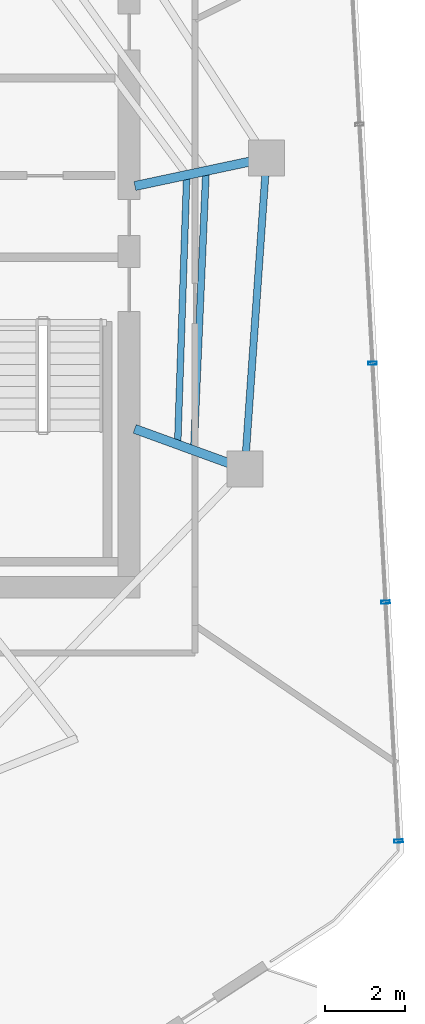
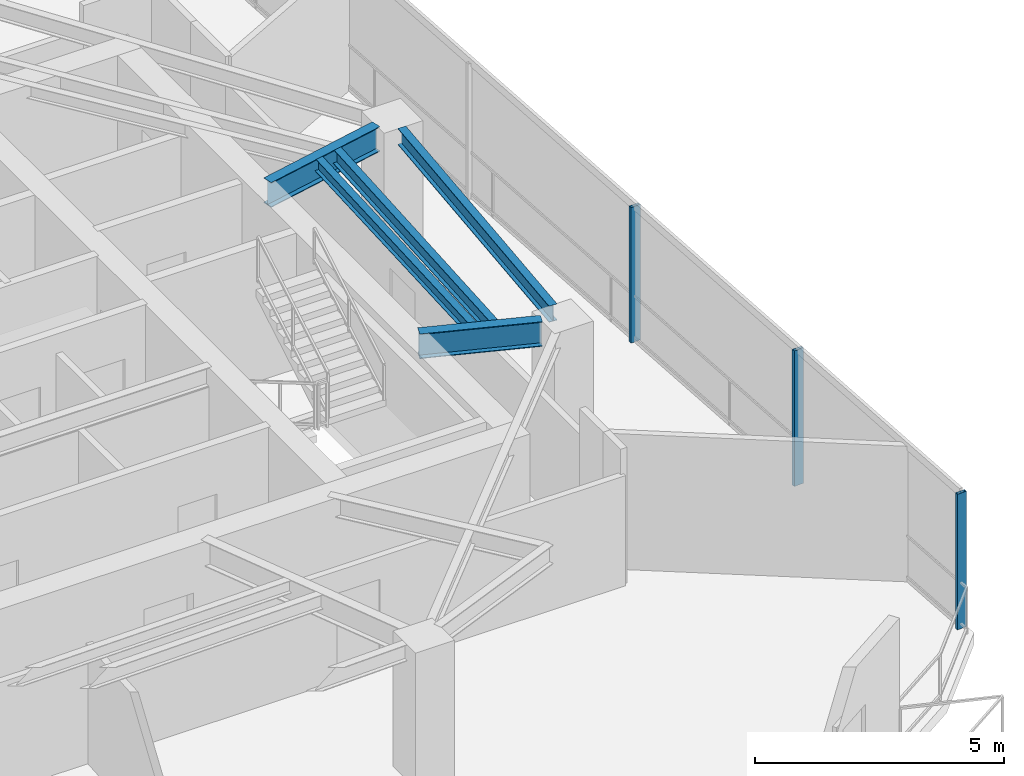
# One storey, part 7 of 18: 5 beams, 3 members, 1 element without a shape of its own.
"""IFC4 building model written with IfcOpenShell, lengths in metres."""

from ifc_helpers import new_model, si_unit, direction, frame, origin, origin_2d, place, context, subcontext, project, spatial, hollow_rectangle, i_section, extrude, material, layer, layer_set, material_profile, profile_set, type_object, element, aggregate, save


model = new_model("IFC4")

# Units and contexts
model_context = context("Model", 3, precision=1e-05, world=origin(), true_north=direction((0.0, 1.0)))
body_context = subcontext(model_context, "Body", "Model", "MODEL_VIEW")
ifc_project = project(units=[si_unit("LENGTHUNIT", "METRE"), si_unit("AREAUNIT", "SQUARE_METRE"), si_unit("VOLUMEUNIT", "CUBIC_METRE"), si_unit("PLANEANGLEUNIT", "RADIAN"), si_unit("MASSUNIT", "GRAM", prefix="KILO")], contexts=[model_context])

# Site, building, storey
site_placement = place(None, origin())
site = spatial("IfcSite", under=ifc_project, at=site_placement, CompositionType="ELEMENT")
building_placement = place(site_placement, origin())
building = spatial("IfcBuilding", under=site, at=building_placement, Name="Qarnah Convention Tower", CompositionType="ELEMENT")
storey_placement = place(building_placement, frame((0.0, 0.0, 191.39990234375)))
storey = spatial("IfcBuildingStorey", under=building, at=storey_placement, Name="L51", CompositionType="ELEMENT", Elevation=191.39990234375)

# Beams
ifc_material_1 = material(Name="Structural steel S355JR", Category="steel")
ifc_material_profile_1 = material_profile(ifc_material_1, i_section(OverallWidth=0.166015625, OverallDepth=0.31201171875, WebThickness=0.007080078125, FlangeThickness=0.010986328125, at=origin_2d()), Name="W310X45")
ifc_profile_set_1 = profile_set([ifc_material_profile_1], Name="Structural steel S355JR")
beam_type_1 = type_object("IfcBeamType", Name="BM-JST-W310", PredefinedType="JOIST", material=ifc_profile_set_1)
beam_1_placement = place(storey_placement, frame((48.820068359375, 22.260986328125, 3.1640625), z_axis=(0.033775053136, 0.999429460135, 0.0), x_axis=(-0.999429460135, 0.033775053136, 0.0)))
element("IfcBeam", 1, at=beam_1_placement, inside=storey, type_object=beam_type_1, Name="L51 joist BM-L51-IJST-09", PredefinedType="JOIST", context=body_context, shape_type="SweptSolid", body=[
    extrude(i_section(OverallWidth=0.166015625, OverallDepth=0.31201171875, WebThickness=0.007080078125, FlangeThickness=0.010986328125, at=origin_2d()), origin(), (0.0, 0.0, 1.0), 6.570556640625),
])
ifc_material_profile_2 = material_profile(ifc_material_1, i_section(OverallWidth=0.172119140625, OverallDepth=0.35595703125, WebThickness=0.007080078125, FlangeThickness=0.011962890625, at=origin_2d()), Name="W360X51")
ifc_profile_set_2 = profile_set([ifc_material_profile_2], Name="Structural steel S355JR")
beam_type_2 = type_object("IfcBeamType", Name="BM-JST-W360", PredefinedType="JOIST", material=ifc_profile_set_2)
beam_2_placement = place(storey_placement, frame((49.22607421875, 22.114013671875, 3.14208984375), z_axis=(0.043514871399, 0.99905277937, 0.0), x_axis=(-0.99905277937, 0.043514871399, 0.0)))
element("IfcBeam", 2, at=beam_2_placement, inside=storey, type_object=beam_type_2, Name="L51 joist BM-L51-SJST-09", PredefinedType="JOIST", context=body_context, shape_type="SweptSolid", body=[
    extrude(i_section(OverallWidth=0.172119140625, OverallDepth=0.35595703125, WebThickness=0.007080078125, FlangeThickness=0.011962890625, at=origin_2d()), origin(), (0.0, 0.0, 1.0), 6.822265625),
])
ifc_material_profile_3 = material_profile(ifc_material_1, i_section(OverallWidth=0.22802734375, OverallDepth=0.60791015625, WebThickness=0.010986328125, FlangeThickness=0.01708984375, at=origin_2d()), Name="W610X113")
ifc_profile_set_3 = profile_set([ifc_material_profile_3], Name="Structural steel S355JR")
beam_type_3 = type_object("IfcBeamType", Name="BM-RAD-W610B", PredefinedType="BEAM", material=ifc_profile_set_3)
beam_3_placement = place(storey_placement, frame((47.7470703125, 28.64208984375, 3.01611328125), z_axis=(0.978136876062, 0.207962140033, 0.0), x_axis=(-0.207962140033, 0.978136876062, 0.0)))
element("IfcBeam", 3, at=beam_3_placement, inside=storey, type_object=beam_type_3, Name="L51 beam BM-L51-RAD-01", PredefinedType="BEAM", context=body_context, shape_type="SweptSolid", body=[
    extrude(i_section(OverallWidth=0.22802734375, OverallDepth=0.60791015625, WebThickness=0.010986328125, FlangeThickness=0.01708984375, at=origin_2d()), origin(), (0.0, 0.0, 1.0), 2.937255859375),
])
beam_4_placement = place(storey_placement, frame((47.740966796875, 22.56298828125, 3.01611328125), z_axis=(0.939707956932, -0.341978004671, 0.0), x_axis=(0.341978004671, 0.939707956932, 0.0)))
element("IfcBeam", 4, at=beam_4_placement, inside=storey, type_object=beam_type_3, Name="L51 beam BM-L51-RAD-09", PredefinedType="BEAM", context=body_context, shape_type="SweptSolid", body=[
    extrude(i_section(OverallWidth=0.22802734375, OverallDepth=0.60791015625, WebThickness=0.010986328125, FlangeThickness=0.01708984375, at=origin_2d()), origin(), (0.0, 0.0, 1.0), 2.5029296875),
])
ifc_material_profile_4 = material_profile(ifc_material_1, i_section(OverallWidth=0.179931640625, OverallDepth=0.39990234375, WebThickness=0.009033203125, FlangeThickness=0.013916015625, at=origin_2d()), Name="IPE400")
ifc_profile_set_4 = profile_set([ifc_material_profile_4], Name="Structural steel S355JR")
beam_type_4 = type_object("IfcBeamType", Name="BM-SPN-IPE400", PredefinedType="SPANDREL", material=ifc_profile_set_4)
beam_5_placement = place(storey_placement, frame((50.528076171875, 21.9990234375, 3.1201171875), z_axis=(0.069635000818, 0.997572537042, 0.0), x_axis=(-0.997572537042, 0.069635000818, 0.0)))
element("IfcBeam", 5, at=beam_5_placement, inside=storey, type_object=beam_type_4, Name="L51 spandrel BM-L51-SPN-09", PredefinedType="SPANDREL", context=body_context, shape_type="SweptSolid", body=[
    extrude(i_section(OverallWidth=0.179931640625, OverallDepth=0.39990234375, WebThickness=0.009033203125, FlangeThickness=0.013916015625, at=origin_2d()), origin(), (0.0, 0.0, 1.0), 6.9208984375),
])

# Curtain wall, members
ifc_material_2 = material(Name="Tempered Low-E dark glass", Category="glass")
ifc_layer = layer(ifc_material_2, 0.174072265625)
ifc_layer_set = layer_set([ifc_layer], Name="Tempered Low-E dark glass")
curtain_wall_type = type_object("IfcCurtainWallType", Name="CWS-04", PredefinedType="NOTDEFINED", material=ifc_layer_set)
curtain_wall_placement = place(storey_placement, origin())
curtain_wall = element("IfcCurtainWall", 6, at=curtain_wall_placement, inside=storey, type_object=curtain_wall_type, Name="L51 unitised curtain wall CW-L51-F2", PredefinedType="NOTDEFINED")
ifc_material_3 = material(Name="Black anodised aluminium", Category="aluminium")
ifc_material_profile_5 = material_profile(ifc_material_3, hollow_rectangle(XDim=0.074951171875, YDim=0.219970703125, WallThickness=0.0048828125, at=origin_2d()), Name="MUL-75X220")
ifc_profile_set_5 = profile_set([ifc_material_profile_5], Name="Black anodised aluminium")
member_type = type_object("IfcMemberType", Name="MUL-T4", PredefinedType="MULLION", material=ifc_profile_set_5)
member_1_placement = place(storey_placement, frame((53.694091796875, 24.206298828125, 0.0), z_axis=(0.0, 0.0, 1.0), x_axis=(0.054432401259, -0.998517457881, 0.0)))
member_1 = element("IfcMember", 7, at=member_1_placement, type_object=member_type, Name="CW-L51-F2 mullion 4", PredefinedType="MULLION", context=body_context, shape_type="SweptSolid", body=[
    extrude(hollow_rectangle(XDim=0.074951171875, YDim=0.219970703125, WallThickness=0.0048828125, at=origin_2d()), origin(), (0.0, 0.0, 1.0), 3.320068359375),
])
member_2_placement = place(storey_placement, frame((54.02001953125, 18.226318359375, 0.0), z_axis=(0.0, 0.0, 1.0), x_axis=(0.054432401259, -0.998517457881, 0.0)))
member_2 = element("IfcMember", 8, at=member_2_placement, type_object=member_type, Name="CW-L51-F2 mullion 5", PredefinedType="MULLION", context=body_context, shape_type="SweptSolid", body=[
    extrude(hollow_rectangle(XDim=0.074951171875, YDim=0.219970703125, WallThickness=0.0048828125, at=origin_2d()), origin(), (0.0, 0.0, 1.0), 3.320068359375),
])
member_3_placement = place(storey_placement, frame((54.345947265625, 12.24609375, 0.0), z_axis=(0.0, 0.0, 1.0), x_axis=(0.054432401259, -0.998517457881, 0.0)))
member_3 = element("IfcMember", 9, at=member_3_placement, type_object=member_type, Name="CW-L51-F2 mullion 6", PredefinedType="MULLION", context=body_context, shape_type="SweptSolid", body=[
    extrude(hollow_rectangle(XDim=0.074951171875, YDim=0.219970703125, WallThickness=0.0048828125, at=origin_2d()), origin(), (0.0, 0.0, 1.0), 3.320068359375),
])
aggregate(curtain_wall, [member_1, member_2, member_3])

save(model, "model.ifc")
